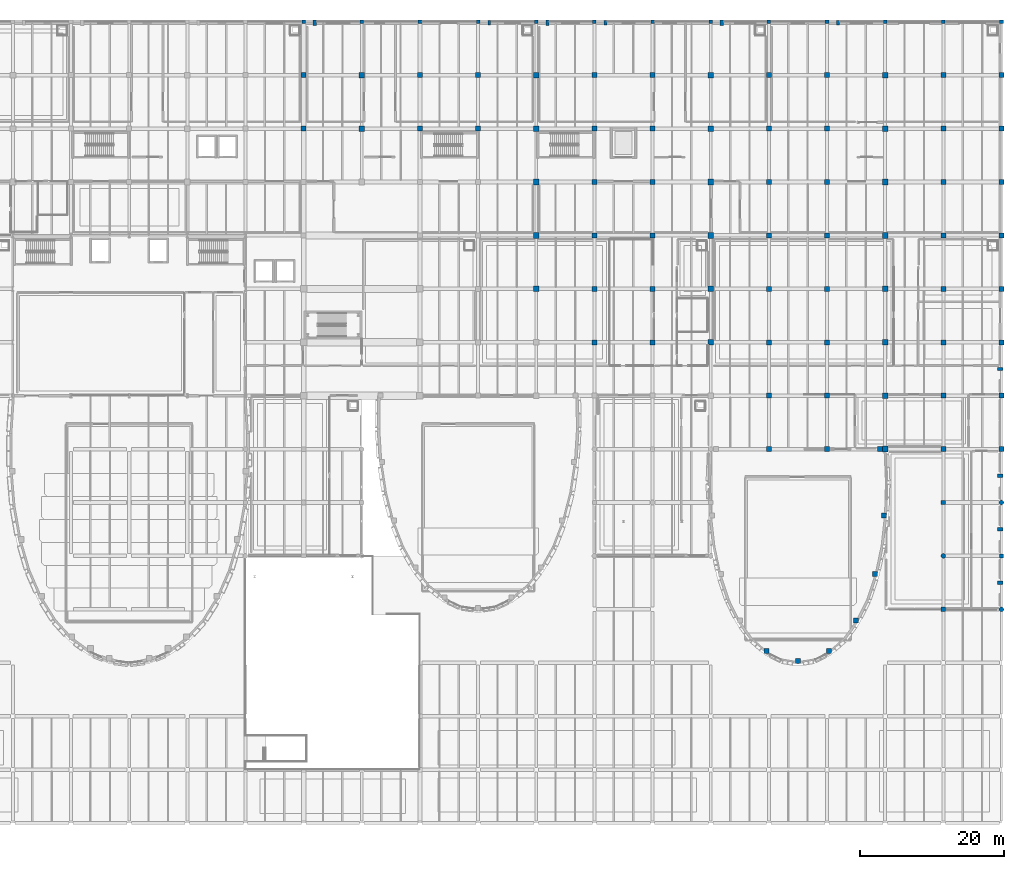
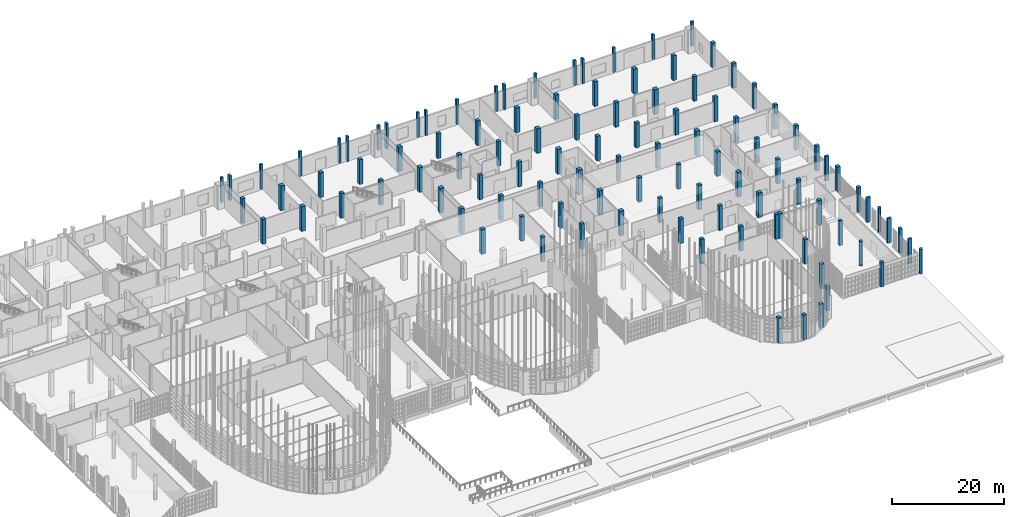
# One storey, part 11 of 372: 107 columns.
"""IFC4 building model written with IfcOpenShell, lengths in metres."""

import ifcopenshell
import ifcopenshell.guid

model = None  # the IFC model being written
_history = None  # IfcOwnerHistory: only IFC2X3 demands one
_inside = {}  # id of a spatial element -> (the spatial element, [elements in it])
_under = {}  # id of a project, library or spatial element -> (it, [spatial elements below it])
_declared = {}  # id of a project -> (the project, [libraries it declares])
_typed = {}  # id of a type object -> (the type object, [elements of that type])
_made_of = {}  # id of a material, layer set ... -> (it, [elements and type objects made of it])


def new_model(schema):
    """Start an empty IFC model of exactly this schema.

    Asked for "IFC4X3", IfcOpenShell would pick the latest addendum, in which some entities
    have other attributes; the version numbers below select the first issue.
    IFC2X3 requires an IfcOwnerHistory on every rooted entity: one is made here for all.
    """
    global model, _history
    if schema == "IFC4X3":
        model = ifcopenshell.file(schema_version=(4, 3, 0, 0))
    else:
        model = ifcopenshell.file(schema=schema)
    _inside.clear()
    _under.clear()
    _declared.clear()
    _typed.clear()
    _made_of.clear()
    _history = None
    if model.schema == "IFC2X3":
        org = make("IfcOrganization", Name="unknown")
        user = make(
            "IfcPersonAndOrganization",
            ThePerson=make("IfcPerson", FamilyName="unknown"),
            TheOrganization=org,
        )
        app = make(
            "IfcApplication",
            ApplicationDeveloper=org,
            Version="unknown",
            ApplicationFullName="unknown",
            ApplicationIdentifier="unknown",
        )
        _history = make(
            "IfcOwnerHistory",
            OwningUser=user,
            OwningApplication=app,
            ChangeAction="ADDED",
            CreationDate=0,
        )
    return model


def make(cls, **values):
    """One entity of the class cls with the attributes given. An attribute that is None is left unset."""
    return model.create_entity(
        cls, **{name: value for name, value in values.items() if value is not None}
    )


def rooted(cls, **values):
    """An entity with a GlobalId (a new one), such as an element, a storey or a relation."""
    return make(cls, GlobalId=ifcopenshell.guid.new(), OwnerHistory=_history, **values)


def si_unit(unit_type, name, prefix=None):
    """IfcSIUnit, for example si_unit("LENGTHUNIT", "METRE", prefix="MILLI")."""
    return make("IfcSIUnit", UnitType=unit_type, Prefix=prefix, Name=name)


def assignment(units):
    """IfcUnitAssignment: the units of a project."""
    return None if units is None else make("IfcUnitAssignment", Units=units)


def point(xyz):
    """IfcCartesianPoint."""
    return None if xyz is None else make("IfcCartesianPoint", Coordinates=xyz)


def direction(xyz):
    """IfcDirection."""
    return None if xyz is None else make("IfcDirection", DirectionRatios=xyz)


def frame(location, z_axis=None, x_axis=None):
    """IfcAxis2Placement3D, a coordinate frame: its origin and axes. An axis left out is left unset."""
    return make(
        "IfcAxis2Placement3D",
        Location=point(location),
        Axis=direction(z_axis),
        RefDirection=direction(x_axis),
    )


def frame_2d(location, x_axis=None):
    """IfcAxis2Placement2D, a coordinate frame in the plane: its origin and x axis."""
    return make(
        "IfcAxis2Placement2D", Location=point(location), RefDirection=direction(x_axis)
    )


def origin():
    """The frame at (0, 0, 0) with its axes left unset."""
    return frame((0.0, 0.0, 0.0))


def origin_2d():
    """The frame at (0, 0) in the plane with its x axis left unset."""
    return frame_2d((0.0, 0.0))


def place(relative_to, where):
    """IfcLocalPlacement: puts the frame where relative to a parent placement (None: the world)."""
    return make(
        "IfcLocalPlacement", PlacementRelTo=relative_to, RelativePlacement=where
    )


def context(
    kind, dimensions, precision=None, world=None, true_north=None, identifier=None
):
    """IfcGeometricRepresentationContext, for example the 3D "Model" context."""
    return make(
        "IfcGeometricRepresentationContext",
        ContextIdentifier=identifier,
        ContextType=kind,
        CoordinateSpaceDimension=dimensions,
        Precision=precision,
        WorldCoordinateSystem=world,
        TrueNorth=true_north,
    )


def subcontext(parent, identifier, kind, view, scale=None):
    """IfcGeometricRepresentationSubContext, for example "Body" below "Model"."""
    return make(
        "IfcGeometricRepresentationSubContext",
        ContextIdentifier=identifier,
        ContextType=kind,
        ParentContext=parent,
        TargetScale=scale,
        TargetView=view,
    )


def project(units=None, contexts=None):
    """IfcProject with its units and contexts."""
    return rooted(
        "IfcProject",
        Name="project",
        RepresentationContexts=contexts,
        UnitsInContext=assignment(units),
    )


def spatial(cls, under=None, at=None, **own):
    """A site, building, storey or space (cls), placed at a placement, below another one or the project."""
    s = rooted(cls, ObjectPlacement=at, **own)
    if under is not None:
        _under.setdefault(under.id(), (under, []))[1].append(s)
    return s


def profile(cls, at=None, kind="AREA", **sizes):
    """A parametric profile (cls). Its sizes go by their IFC names, for example OverallWidth=200.0."""
    return make(cls, ProfileType=kind, Position=at, **sizes)


def rectangle(**sizes):
    """IfcRectangleProfileDef."""
    return profile("IfcRectangleProfileDef", **sizes)


def circle(**sizes):
    """IfcCircleProfileDef."""
    return profile("IfcCircleProfileDef", **sizes)


def extrude(swept, where, along, depth):
    """IfcExtrudedAreaSolid: the profile swept, set in the frame where, extruded along a direction by depth."""
    return make(
        "IfcExtrudedAreaSolid",
        SweptArea=swept,
        Position=where,
        ExtrudedDirection=direction(along),
        Depth=depth,
    )


def shape(context_of_items, identifier, shape_type, items):
    """IfcShapeRepresentation: the items that make up one representation, for example the "Body"."""
    return make(
        "IfcShapeRepresentation",
        ContextOfItems=context_of_items,
        RepresentationIdentifier=identifier,
        RepresentationType=shape_type,
        Items=items,
    )


def material(Name=None, Category=None):
    """IfcMaterial."""
    return make("IfcMaterial", Name=Name, Category=Category)


def material_profile(
    of_material, cross_section, Name=None, Category=None, Priority=None
):
    """IfcMaterialProfile: a cross section and its material."""
    return make(
        "IfcMaterialProfile",
        Name=Name,
        Material=of_material,
        Profile=cross_section,
        Priority=Priority,
        Category=Category,
    )


def profile_set(profiles, Name=None, composite=None):
    """IfcMaterialProfileSet."""
    return make(
        "IfcMaterialProfileSet",
        Name=Name,
        MaterialProfiles=profiles,
        CompositeProfile=composite,
    )


def made_of(thing, what):
    """Note that an element or type object is made of a material, layer set ...; save() writes the relation."""
    if what is not None:
        _made_of.setdefault(what.id(), (what, []))[1].append(thing)
    return thing


def type_object(cls, material=None, **own):
    """A type object (cls), such as IfcWallType, which elements share."""
    return made_of(rooted(cls, **own), material)


def element(
    cls,
    number,
    at=None,
    inside=None,
    cuts=None,
    type_object=None,
    material=None,
    context=None,
    identifier="Body",
    shape_type=None,
    held_by="IfcProductDefinitionShape",
    body=None,
    shapes=None,
    **own,
):
    """One element of the class cls, such as IfcWall. Its Tag is "e" and its number.

    at: its placement. inside: the storey or other place that contains it. cuts: it is an
    opening in that element (IfcRelVoidsElement). A single representation is given by context,
    identifier, shape_type and body (its items); several are given by shapes. held_by: the class
    of the entity that holds the representations. save() writes the other relations.
    """
    e = rooted(cls, Tag="e%d" % number, ObjectPlacement=at, **own)
    if body is not None:
        shapes = [shape(context, identifier, shape_type, body)]
    if shapes is not None:
        e.Representation = make(held_by, Representations=shapes)
    if inside is not None:
        _inside.setdefault(inside.id(), (inside, []))[1].append(e)
    if cuts is not None:
        rooted(
            "IfcRelVoidsElement", RelatingBuildingElement=cuts, RelatedOpeningElement=e
        )
    if type_object is not None:
        _typed.setdefault(type_object.id(), (type_object, []))[1].append(e)
    return made_of(e, material)


def aggregate(whole, parts):
    """IfcRelAggregates: a whole, such as a stair, and the parts it consists of."""
    return rooted("IfcRelAggregates", RelatingObject=whole, RelatedObjects=parts)


def save(model, path):
    """Write the relations noted so far, then the file.

    IfcRelAggregates (storeys below a building ...), IfcRelContainedInSpatialStructure (elements
    in a storey), IfcRelDefinesByType, IfcRelAssociatesMaterial and IfcRelDeclares: one each for
    every whole, place, type object, material and project.
    """
    for whole, parts in _under.values():
        aggregate(whole, parts)
    for where, things in _inside.values():
        rooted(
            "IfcRelContainedInSpatialStructure",
            RelatedElements=things,
            RelatingStructure=where,
        )
    for kind, things in _typed.values():
        rooted("IfcRelDefinesByType", RelatedObjects=things, RelatingType=kind)
    for what, things in _made_of.values():
        rooted("IfcRelAssociatesMaterial", RelatedObjects=things, RelatingMaterial=what)
    for by, libraries in _declared.values():
        rooted("IfcRelDeclares", RelatingContext=by, RelatedDefinitions=libraries)
    model.write(path)


model = new_model("IFC4")

# Units and contexts
model_context = context("Model", 3, precision=1e-05, world=origin(), true_north=direction((0.0, 1.0)))
body_context = subcontext(model_context, "Body", "Model", "MODEL_VIEW")
ifc_project = project(units=[si_unit("LENGTHUNIT", "METRE"), si_unit("AREAUNIT", "SQUARE_METRE"), si_unit("VOLUMEUNIT", "CUBIC_METRE"), si_unit("PLANEANGLEUNIT", "RADIAN"), si_unit("MASSUNIT", "GRAM", prefix="KILO")], contexts=[model_context])

# Site, building, storey
site_placement = place(None, origin())
site = spatial("IfcSite", under=ifc_project, at=site_placement, CompositionType="ELEMENT")
building_placement = place(site_placement, origin())
building = spatial("IfcBuilding", under=site, at=building_placement, Name="Kaelora Sail Theatre", CompositionType="ELEMENT")
storey_placement = place(building_placement, origin())
storey = spatial("IfcBuildingStorey", under=building, at=storey_placement, Name="L00", CompositionType="ELEMENT", Elevation=0.0)

# Columns
ifc_material_1 = material(Name="Concrete C40/50", Category="concrete")
ifc_material_profile_1 = material_profile(ifc_material_1, rectangle(XDim=0.5, YDim=0.5, at=origin_2d()), Name="RC-COL 500x500")
ifc_profile_set_1 = profile_set([ifc_material_profile_1], Name="Concrete C40/50")
column_type_1 = type_object("IfcColumnType", Name="STR-COL-C-RC500", PredefinedType="COLUMN", material=ifc_profile_set_1)
for number, where, z_axis, x_axis, name in (
    (1, (66.300048828125, 113.10009765625, 0.0), (0.0, 0.0, 1.0), (1.0, 0.0, 0.0), "Column 9/P (L00)"),
    (2, (74.39990234375, 113.10009765625, 0.0), (0.0, 0.0, 1.0), (1.0, 0.0, 0.0), "Column 10/P (L00)"),
    (3, (82.5, 113.10009765625, 0.0), (0.0, 0.0, 1.0), (1.0, 0.0, 0.0), "Column 11/P (L00)"),
    (4, (90.60009765625, 113.10009765625, 0.0), (0.0, 0.0, 1.0), (1.0, 0.0, 0.0), "Column 12/P (L00)"),
    (5, (98.699951171875, 113.10009765625, 0.0), (0.0, 0.0, 1.0), (1.0, 0.0, 0.0), "Column 13/P (L00)"),
    (6, (106.800048828125, 113.10009765625, 0.0), (0.0, 0.0, 1.0), (1.0, 0.0, 0.0), "Column 14/P (L00)"),
    (7, (114.89990234375, 113.10009765625, 0.0), (0.0, 0.0, 1.0), (1.0, 0.0, 0.0), "Column 15/P (L00)"),
    (8, (123.0, 113.10009765625, 0.0), (0.0, 0.0, 1.0), (1.0, 0.0, 0.0), "Column 16/P (L00)"),
    (9, (131.10009765625, 113.10009765625, 0.0), (0.0, 0.0, 1.0), (1.0, 0.0, 0.0), "Column 17/P (L00)"),
    (10, (139.199951171875, 113.10009765625, 0.0), (0.0, 0.0, 1.0), (1.0, 0.0, 0.0), "Column 18/P (L00)"),
    (11, (147.300048828125, 113.10009765625, 0.0), (0.0, 0.0, 1.0), (1.0, 0.0, 0.0), "Column 19/P (L00)"),
    (12, (155.39990234375, 113.10009765625, 0.0), (0.0, 0.0, 1.0), (1.0, 0.0, 0.0), "Column 20/P (L00)"),
    (13, (163.5, 113.10009765625, 0.0), (0.0, 0.0, 1.0), (1.0, 0.0, 0.0), "Column 21/P (L00)"),
):
    element("IfcColumn", number, at=place(storey_placement, frame(where, z_axis=z_axis, x_axis=x_axis)), inside=storey, type_object=column_type_1, Name=name, PredefinedType="COLUMN", context=body_context, shape_type="SweptSolid", body=[
        extrude(rectangle(XDim=0.5, YDim=0.5, at=origin_2d()), origin(), (0.0, 0.0, 1.0), 5.39990234375),
    ])
ifc_material_2 = material(Name="Concrete C40/50", Category="concrete")
ifc_material_profile_2 = material_profile(ifc_material_2, rectangle(XDim=0.60009765625, YDim=0.60009765625, at=origin_2d()), Name="RC-COL 600x600")
ifc_profile_set_2 = profile_set([ifc_material_profile_2], Name="Concrete C40/50")
column_type_2 = type_object("IfcColumnType", Name="STR-COL-C-RC600", PredefinedType="COLUMN", material=ifc_profile_set_2)
for number, where, z_axis, x_axis, name in (
    (14, (155.39990234375, 31.260009765625, 0.0), (0.0, 0.0, 1.0), (1.0, 0.0, 0.0), "Column 20/E (L00)"),
    (15, (155.39990234375, 46.139892578125, 0.0), (0.0, 0.0, 1.0), (1.0, 0.0, 0.0), "Column 20/G (L00)"),
    (16, (163.5, 38.699951171875, 0.0), (0.0, 0.0, 1.0), (1.0, 0.0, 0.0), "Column 21/F (L00)"),
):
    element("IfcColumn", number, at=place(storey_placement, frame(where, z_axis=z_axis, x_axis=x_axis)), inside=storey, type_object=column_type_2, Name=name, PredefinedType="COLUMN", context=body_context, shape_type="SweptSolid", body=[
        extrude(rectangle(XDim=0.60009765625, YDim=0.60009765625, at=origin_2d()), origin(), (0.0, 0.0, 1.0), 5.39990234375),
    ])
ifc_material_3 = material(Name="Concrete C45/55", Category="concrete")
ifc_material_profile_3 = material_profile(ifc_material_3, rectangle(XDim=0.699951171875, YDim=0.699951171875, at=origin_2d()), Name="RC-COL 700x700")
ifc_profile_set_3 = profile_set([ifc_material_profile_3], Name="Concrete C45/55")
column_type_3 = type_object("IfcColumnType", Name="STR-COL-C-RC700", PredefinedType="COLUMN", material=ifc_profile_set_3)
for number, where, z_axis, x_axis, name in (
    (17, (66.300048828125, 98.219970703125, 0.0), (0.0, 0.0, 1.0), (1.0, 0.0, 0.0), "Column 9/N (L00)"),
    (18, (66.300048828125, 105.659912109375, 0.0), (0.0, 0.0, 1.0), (1.0, 0.0, 0.0), "Column 9/O (L00)"),
    (19, (82.5, 98.219970703125, 0.0), (0.0, 0.0, 1.0), (1.0, 0.0, 0.0), "Column 11/N (L00)"),
    (20, (82.5, 105.659912109375, 0.0), (0.0, 0.0, 1.0), (1.0, 0.0, 0.0), "Column 11/O (L00)"),
    (21, (90.60009765625, 98.219970703125, 0.0), (0.0, 0.0, 1.0), (1.0, 0.0, 0.0), "Column 12/N (L00)"),
    (22, (90.60009765625, 105.659912109375, 0.0), (0.0, 0.0, 1.0), (1.0, 0.0, 0.0), "Column 12/O (L00)"),
    (23, (106.800048828125, 68.4599609375, 0.0), (0.0, 0.0, 1.0), (1.0, 0.0, 0.0), "Column 14/J (L00)"),
    (24, (106.800048828125, 75.89990234375, 0.0), (0.0, 0.0, 1.0), (1.0, 0.0, 0.0), "Column 14/K (L00)"),
    (25, (106.800048828125, 83.340087890625, 0.0), (0.0, 0.0, 1.0), (1.0, 0.0, 0.0), "Column 14/L (L00)"),
    (26, (106.800048828125, 90.780029296875, 0.0), (0.0, 0.0, 1.0), (1.0, 0.0, 0.0), "Column 14/M (L00)"),
    (27, (106.800048828125, 98.219970703125, 0.0), (0.0, 0.0, 1.0), (1.0, 0.0, 0.0), "Column 14/N (L00)"),
    (28, (106.800048828125, 105.659912109375, 0.0), (0.0, 0.0, 1.0), (1.0, 0.0, 0.0), "Column 14/O (L00)"),
    (29, (114.89990234375, 68.4599609375, 0.0), (0.0, 0.0, 1.0), (1.0, 0.0, 0.0), "Column 15/J (L00)"),
    (30, (114.89990234375, 75.89990234375, 0.0), (0.0, 0.0, 1.0), (1.0, 0.0, 0.0), "Column 15/K (L00)"),
    (31, (114.89990234375, 83.340087890625, 0.0), (0.0, 0.0, 1.0), (1.0, 0.0, 0.0), "Column 15/L (L00)"),
    (32, (114.89990234375, 90.780029296875, 0.0), (0.0, 0.0, 1.0), (1.0, 0.0, 0.0), "Column 15/M (L00)"),
    (33, (114.89990234375, 98.219970703125, 0.0), (0.0, 0.0, 1.0), (1.0, 0.0, 0.0), "Column 15/N (L00)"),
    (34, (114.89990234375, 105.659912109375, 0.0), (0.0, 0.0, 1.0), (1.0, 0.0, 0.0), "Column 15/O (L00)"),
    (35, (131.10009765625, 53.580078125, 0.0), (0.0, 0.0, 1.0), (1.0, 0.0, 0.0), "Column 17/H (L00)"),
    (36, (131.10009765625, 61.02001953125, 0.0), (0.0, 0.0, 1.0), (1.0, 0.0, 0.0), "Column 17/I (L00)"),
    (37, (131.10009765625, 68.4599609375, 0.0), (0.0, 0.0, 1.0), (1.0, 0.0, 0.0), "Column 17/J (L00)"),
    (38, (131.10009765625, 75.89990234375, 0.0), (0.0, 0.0, 1.0), (1.0, 0.0, 0.0), "Column 17/K (L00)"),
    (39, (131.10009765625, 83.340087890625, 0.0), (0.0, 0.0, 1.0), (1.0, 0.0, 0.0), "Column 17/L (L00)"),
    (40, (131.10009765625, 90.780029296875, 0.0), (0.0, 0.0, 1.0), (1.0, 0.0, 0.0), "Column 17/M (L00)"),
    (41, (131.10009765625, 98.219970703125, 0.0), (0.0, 0.0, 1.0), (1.0, 0.0, 0.0), "Column 17/N (L00)"),
    (42, (131.10009765625, 105.659912109375, 0.0), (0.0, 0.0, 1.0), (1.0, 0.0, 0.0), "Column 17/O (L00)"),
    (43, (139.199951171875, 53.580078125, 0.0), (0.0, 0.0, 1.0), (1.0, 0.0, 0.0), "Column 18/H (L00)"),
    (44, (139.199951171875, 61.02001953125, 0.0), (0.0, 0.0, 1.0), (1.0, 0.0, 0.0), "Column 18/I (L00)"),
    (45, (139.199951171875, 68.4599609375, 0.0), (0.0, 0.0, 1.0), (1.0, 0.0, 0.0), "Column 18/J (L00)"),
    (46, (139.199951171875, 75.89990234375, 0.0), (0.0, 0.0, 1.0), (1.0, 0.0, 0.0), "Column 18/K (L00)"),
    (47, (139.199951171875, 83.340087890625, 0.0), (0.0, 0.0, 1.0), (1.0, 0.0, 0.0), "Column 18/L (L00)"),
    (48, (139.199951171875, 90.780029296875, 0.0), (0.0, 0.0, 1.0), (1.0, 0.0, 0.0), "Column 18/M (L00)"),
    (49, (139.199951171875, 98.219970703125, 0.0), (0.0, 0.0, 1.0), (1.0, 0.0, 0.0), "Column 18/N (L00)"),
    (50, (139.199951171875, 105.659912109375, 0.0), (0.0, 0.0, 1.0), (1.0, 0.0, 0.0), "Column 18/O (L00)"),
    (51, (155.39990234375, 53.580078125, 0.0), (0.0, 0.0, 1.0), (1.0, 0.0, 0.0), "Column 20/H (L00)"),
    (52, (155.39990234375, 61.02001953125, 0.0), (0.0, 0.0, 1.0), (1.0, 0.0, 0.0), "Column 20/I (L00)"),
    (53, (155.39990234375, 68.4599609375, 0.0), (0.0, 0.0, 1.0), (1.0, 0.0, 0.0), "Column 20/J (L00)"),
    (54, (155.39990234375, 75.89990234375, 0.0), (0.0, 0.0, 1.0), (1.0, 0.0, 0.0), "Column 20/K (L00)"),
    (55, (155.39990234375, 83.340087890625, 0.0), (0.0, 0.0, 1.0), (1.0, 0.0, 0.0), "Column 20/L (L00)"),
    (56, (155.39990234375, 90.780029296875, 0.0), (0.0, 0.0, 1.0), (1.0, 0.0, 0.0), "Column 20/M (L00)"),
    (57, (155.39990234375, 98.219970703125, 0.0), (0.0, 0.0, 1.0), (1.0, 0.0, 0.0), "Column 20/N (L00)"),
    (58, (155.39990234375, 105.659912109375, 0.0), (0.0, 0.0, 1.0), (1.0, 0.0, 0.0), "Column 20/O (L00)"),
    (59, (163.5, 53.580078125, 0.0), (0.0, 0.0, 1.0), (1.0, 0.0, 0.0), "Column 21/H (L00)"),
    (60, (163.5, 61.02001953125, 0.0), (0.0, 0.0, 1.0), (1.0, 0.0, 0.0), "Column 21/I (L00)"),
    (61, (163.5, 68.4599609375, 0.0), (0.0, 0.0, 1.0), (1.0, 0.0, 0.0), "Column 21/J (L00)"),
    (62, (163.5, 75.89990234375, 0.0), (0.0, 0.0, 1.0), (1.0, 0.0, 0.0), "Column 21/K (L00)"),
    (63, (163.5, 83.340087890625, 0.0), (0.0, 0.0, 1.0), (1.0, 0.0, 0.0), "Column 21/L (L00)"),
    (64, (163.5, 90.780029296875, 0.0), (0.0, 0.0, 1.0), (1.0, 0.0, 0.0), "Column 21/M (L00)"),
    (65, (163.5, 98.219970703125, 0.0), (0.0, 0.0, 1.0), (1.0, 0.0, 0.0), "Column 21/N (L00)"),
    (66, (163.5, 105.659912109375, 0.0), (0.0, 0.0, 1.0), (1.0, 0.0, 0.0), "Column 21/O (L00)"),
    (67, (146.550048828125, 53.580078125, 0.0), (0.0, 0.0, 1.0), (1.0, 0.0, 0.0), "Black-Box Theatre north corner column NE (L00)"),
    (68, (147.154541015625, 44.324951171875, 0.0), (0.0, 0.0, 1.0), (1.0, 0.0, 0.0), "Black-Box Theatre drum column K02 (L00)"),
    (69, (145.848876953125, 36.177978515625, 0.0), (0.0, 0.0, 1.0), (1.0, 0.0, 0.0), "Black-Box Theatre drum column K04 (L00)"),
    (70, (143.233642578125, 29.6826171875, 0.0), (0.0, 0.0, 1.0), (1.0, 0.0, 0.0), "Black-Box Theatre drum column K06 (L00)"),
    (71, (139.50634765625, 25.48828125, 0.0), (0.0, 0.0, 1.0), (1.0, 0.0, 0.0), "Black-Box Theatre drum column K08 (L00)"),
    (72, (135.14990234375, 24.0400390625, 0.0), (0.0, 0.0, 1.0), (1.0, 0.0, 0.0), "Black-Box Theatre drum column K10 (L00)"),
    (73, (130.793701171875, 25.48828125, 0.0), (0.0, 0.0, 1.0), (1.0, 0.0, 0.0), "Black-Box Theatre drum column K12 (L00)"),
):
    element("IfcColumn", number, at=place(storey_placement, frame(where, z_axis=z_axis, x_axis=x_axis)), inside=storey, type_object=column_type_3, Name=name, PredefinedType="COLUMN", context=body_context, shape_type="SweptSolid", body=[
        extrude(rectangle(XDim=0.699951171875, YDim=0.699951171875, at=origin_2d()), origin(), (0.0, 0.0, 1.0), 5.39990234375),
    ])
ifc_material_4 = material(Name="Concrete C50/60", Category="concrete")
ifc_material_profile_4 = material_profile(ifc_material_4, rectangle(XDim=0.800048828125, YDim=0.800048828125, at=origin_2d()), Name="RC-COL 800x800")
ifc_profile_set_4 = profile_set([ifc_material_profile_4], Name="Concrete C50/60")
column_type_4 = type_object("IfcColumnType", Name="STR-COL-C-RC800", PredefinedType="COLUMN", material=ifc_profile_set_4)
for number, where, z_axis, x_axis, name in (
    (74, (74.39990234375, 98.219970703125, 0.0), (0.0, 0.0, 1.0), (1.0, 0.0, 0.0), "Column 10/N (L00)"),
    (75, (74.39990234375, 105.659912109375, 0.0), (0.0, 0.0, 1.0), (1.0, 0.0, 0.0), "Column 10/O (L00)"),
    (76, (98.699951171875, 75.89990234375, 0.0), (0.0, 0.0, 1.0), (1.0, 0.0, 0.0), "Column 13/K (L00)"),
    (77, (98.699951171875, 83.340087890625, 0.0), (0.0, 0.0, 1.0), (1.0, 0.0, 0.0), "Column 13/L (L00)"),
    (78, (98.699951171875, 90.780029296875, 0.0), (0.0, 0.0, 1.0), (1.0, 0.0, 0.0), "Column 13/M (L00)"),
    (79, (98.699951171875, 98.219970703125, 0.0), (0.0, 0.0, 1.0), (1.0, 0.0, 0.0), "Column 13/N (L00)"),
    (80, (98.699951171875, 105.659912109375, 0.0), (0.0, 0.0, 1.0), (1.0, 0.0, 0.0), "Column 13/O (L00)"),
    (81, (123.0, 68.4599609375, 0.0), (0.0, 0.0, 1.0), (1.0, 0.0, 0.0), "Column 16/J (L00)"),
    (82, (123.0, 75.89990234375, 0.0), (0.0, 0.0, 1.0), (1.0, 0.0, 0.0), "Column 16/K (L00)"),
    (83, (123.0, 83.340087890625, 0.0), (0.0, 0.0, 1.0), (1.0, 0.0, 0.0), "Column 16/L (L00)"),
    (84, (123.0, 90.780029296875, 0.0), (0.0, 0.0, 1.0), (1.0, 0.0, 0.0), "Column 16/M (L00)"),
    (85, (123.0, 98.219970703125, 0.0), (0.0, 0.0, 1.0), (1.0, 0.0, 0.0), "Column 16/N (L00)"),
    (86, (123.0, 105.659912109375, 0.0), (0.0, 0.0, 1.0), (1.0, 0.0, 0.0), "Column 16/O (L00)"),
    (87, (147.300048828125, 53.580078125, 0.0), (0.0, 0.0, 1.0), (1.0, 0.0, 0.0), "Column 19/H (L00)"),
    (88, (147.300048828125, 61.02001953125, 0.0), (0.0, 0.0, 1.0), (1.0, 0.0, 0.0), "Column 19/I (L00)"),
    (89, (147.300048828125, 68.4599609375, 0.0), (0.0, 0.0, 1.0), (1.0, 0.0, 0.0), "Column 19/J (L00)"),
    (90, (147.300048828125, 75.89990234375, 0.0), (0.0, 0.0, 1.0), (1.0, 0.0, 0.0), "Column 19/K (L00)"),
    (91, (147.300048828125, 83.340087890625, 0.0), (0.0, 0.0, 1.0), (1.0, 0.0, 0.0), "Column 19/L (L00)"),
    (92, (147.300048828125, 90.780029296875, 0.0), (0.0, 0.0, 1.0), (1.0, 0.0, 0.0), "Column 19/M (L00)"),
    (93, (147.300048828125, 98.219970703125, 0.0), (0.0, 0.0, 1.0), (1.0, 0.0, 0.0), "Column 19/N (L00)"),
    (94, (147.300048828125, 105.659912109375, 0.0), (0.0, 0.0, 1.0), (1.0, 0.0, 0.0), "Column 19/O (L00)"),
):
    element("IfcColumn", number, at=place(storey_placement, frame(where, z_axis=z_axis, x_axis=x_axis)), inside=storey, type_object=column_type_4, Name=name, PredefinedType="COLUMN", context=body_context, shape_type="SweptSolid", body=[
        extrude(rectangle(XDim=0.800048828125, YDim=0.800048828125, at=origin_2d()), origin(), (0.0, 0.0, 1.0), 5.39990234375),
    ])
ifc_material_5 = material(Name="Concrete C45/55", Category="concrete")
ifc_material_profile_5 = material_profile(ifc_material_5, circle(Radius=0.324951171875, at=origin_2d()), Name="RC-CCOL D650")
ifc_profile_set_5 = profile_set([ifc_material_profile_5], Name="Concrete C45/55")
column_type_5 = type_object("IfcColumnType", Name="STR-COL-C-RCD650", PredefinedType="COLUMN", material=ifc_profile_set_5)
for number, where, z_axis, x_axis, name in (
    (95, (155.39990234375, 38.699951171875, 0.0), (0.0, 0.0, 1.0), (1.0, 0.0, 0.0), "Column 20/F (L00)"),
    (96, (163.5, 31.260009765625, 0.0), (0.0, 0.0, 1.0), (1.0, 0.0, 0.0), "Column 21/E (L00)"),
    (97, (163.5, 46.139892578125, 0.0), (0.0, 0.0, 1.0), (1.0, 0.0, 0.0), "Column 21/G (L00)"),
):
    element("IfcColumn", number, at=place(storey_placement, frame(where, z_axis=z_axis, x_axis=x_axis)), inside=storey, type_object=column_type_5, Name=name, PredefinedType="COLUMN", context=body_context, shape_type="SweptSolid", body=[
        extrude(circle(Radius=0.324951171875, at=origin_2d()), origin(), (0.0, 0.0, 1.0), 5.39990234375),
    ])
ifc_material_6 = material(Name="Precast concrete C45/55", Category="concrete")
ifc_material_profile_6 = material_profile(ifc_material_6, rectangle(XDim=0.39990234375, YDim=0.64990234375, at=origin_2d()), Name="RC-PIL 400x650")
ifc_profile_set_6 = profile_set([ifc_material_profile_6], Name="Precast concrete C45/55")
column_type_6 = type_object("IfcColumnType", Name="STR-COL-PL-RC4065", PredefinedType="PILASTER", material=ifc_profile_set_6)
for number, where, z_axis, x_axis, name in (
    (98, (92.14990234375, 112.949951171875, 0.0), (0.0, 0.0, 1.0), (1.0, 0.0, 0.0), "Postmodern terracotta precast pilaster L00 N06"),
    (99, (108.35009765625, 112.949951171875, 0.0), (0.0, 0.0, 1.0), (1.0, 0.0, 0.0), "Postmodern terracotta precast pilaster L00 N08"),
    (100, (140.75, 112.949951171875, 0.0), (0.0, 0.0, 1.0), (1.0, 0.0, 0.0), "Postmodern terracotta precast pilaster L00 N10"),
):
    element("IfcColumn", number, at=place(storey_placement, frame(where, z_axis=z_axis, x_axis=x_axis)), inside=storey, type_object=column_type_6, Name=name, PredefinedType="PILASTER", context=body_context, shape_type="SweptSolid", body=[
        extrude(rectangle(XDim=0.39990234375, YDim=0.64990234375, at=origin_2d()), origin(), (0.0, 0.0, 1.0), 5.39990234375),
    ])
ifc_material_7 = material(Name="Precast concrete C45/55", Category="concrete")
ifc_material_profile_7 = material_profile(ifc_material_7, rectangle(XDim=0.449951171875, YDim=0.75, at=origin_2d()), Name="RC-PIL 450x750")
ifc_profile_set_7 = profile_set([ifc_material_profile_7], Name="Precast concrete C45/55")
column_type_7 = type_object("IfcColumnType", Name="STR-COL-PL-RC4575", PredefinedType="PILASTER", material=ifc_profile_set_7)
for number, where, z_axis, x_axis, name in (
    (101, (67.85009765625, 112.949951171875, 0.0), (0.0, 0.0, 1.0), (1.0, 0.0, 0.0), "Postmodern terracotta precast pilaster L00 N05"),
    (102, (100.25, 112.949951171875, 0.0), (0.0, 0.0, 1.0), (1.0, 0.0, 0.0), "Postmodern terracotta precast pilaster L00 N07"),
    (103, (124.550048828125, 112.949951171875, 0.0), (0.0, 0.0, 1.0), (1.0, 0.0, 0.0), "Postmodern terracotta precast pilaster L00 N09"),
    (104, (163.35009765625, 34.97998046875, 0.0), (0.0, 0.0, 1.0), (0.0, 1.0, 0.0), "Postmodern colonnade pilaster L00 E04"),
    (105, (163.35009765625, 42.419921875, 0.0), (0.0, 0.0, 1.0), (0.0, 1.0, 0.0), "Postmodern colonnade pilaster L00 E05"),
    (106, (163.35009765625, 49.860107421875, 0.0), (0.0, 0.0, 1.0), (0.0, 1.0, 0.0), "Postmodern colonnade pilaster L00 E06"),
    (107, (163.35009765625, 64.739990234375, 0.0), (0.0, 0.0, 1.0), (0.0, 1.0, 0.0), "Postmodern colonnade pilaster L00 E08"),
):
    element("IfcColumn", number, at=place(storey_placement, frame(where, z_axis=z_axis, x_axis=x_axis)), inside=storey, type_object=column_type_7, Name=name, PredefinedType="PILASTER", context=body_context, shape_type="SweptSolid", body=[
        extrude(rectangle(XDim=0.449951171875, YDim=0.75, at=origin_2d()), origin(), (0.0, 0.0, 1.0), 5.39990234375),
    ])

save(model, "model.ifc")
